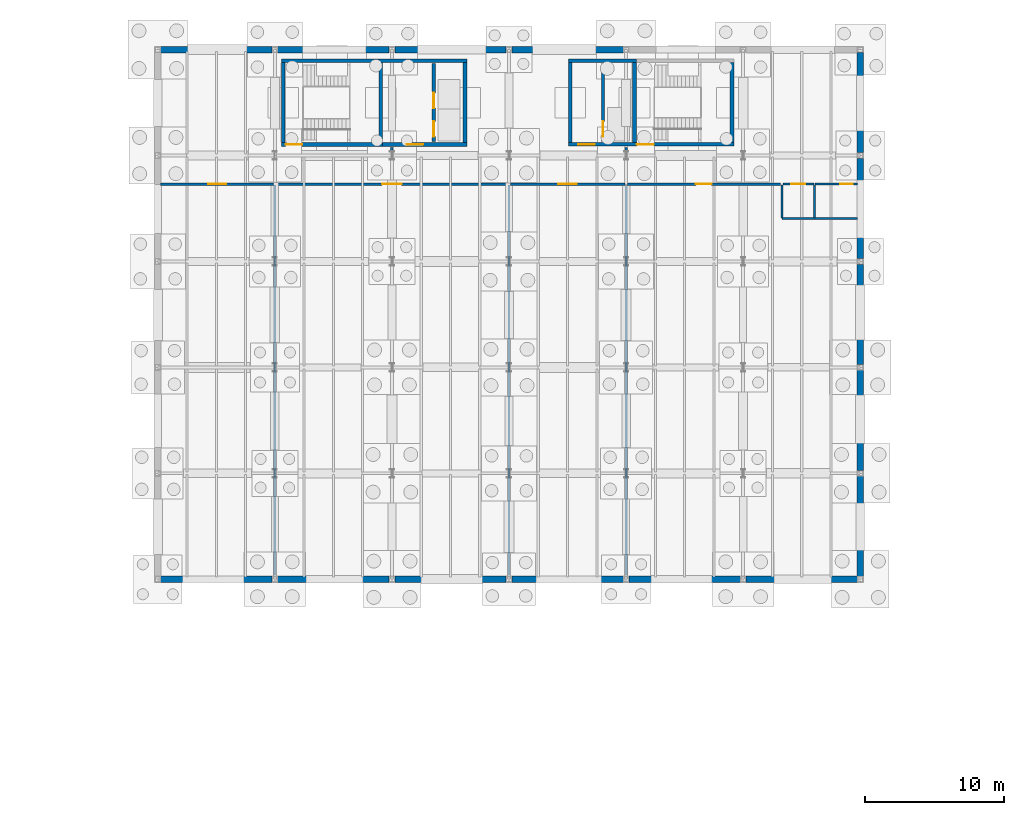
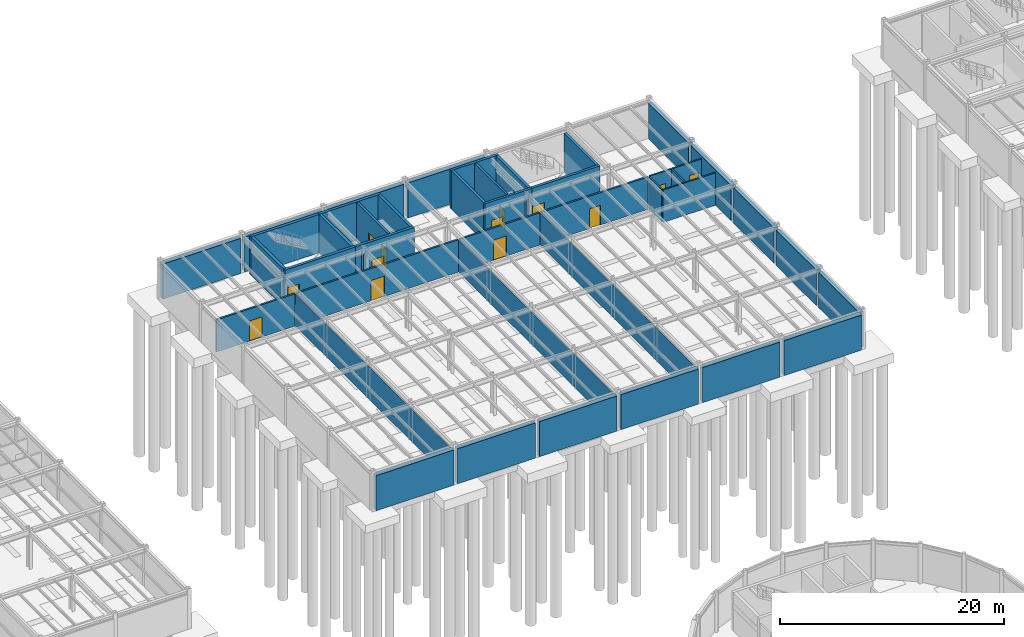
# One storey, part 26 of 33: 44 walls, 13 doors, 13 openings.
"""IFC4 building model written with IfcOpenShell, lengths in metres."""

from ifc_helpers import new_model, si_unit, direction, frame, frame_2d, origin, place, context, subcontext, project, spatial, rectangle, extrude, material, layer, layer_set, type_object, element, fill, save


model = new_model("IFC4")

# Units and contexts
model_context = context("Model", 3, precision=1e-05, world=origin(), true_north=direction((0.0, 1.0)))
body_context = subcontext(model_context, "Body", "Model", "MODEL_VIEW")
ifc_project = project(units=[si_unit("LENGTHUNIT", "METRE"), si_unit("AREAUNIT", "SQUARE_METRE"), si_unit("VOLUMEUNIT", "CUBIC_METRE"), si_unit("PLANEANGLEUNIT", "RADIAN"), si_unit("MASSUNIT", "GRAM", prefix="KILO")], contexts=[model_context])

# Site, building, storey
site_placement = place(None, origin())
site = spatial("IfcSite", under=ifc_project, at=site_placement, CompositionType="ELEMENT")
building_placement = place(site_placement, origin())
building = spatial("IfcBuilding", under=site, at=building_placement, Name="Montecoro Central Library", CompositionType="ELEMENT")
storey_placement = place(building_placement, frame((0.0, 0.0, -4.419921875)))
storey = spatial("IfcBuildingStorey", under=building, at=storey_placement, Name="B1", CompositionType="ELEMENT", Elevation=-4.419921875)

# Walls
ifc_material_1 = material(Name="Concrete C35/45", Category="concrete")
ifc_layer_1 = layer(ifc_material_1, 0.455078125)
ifc_layer_set_1 = layer_set([ifc_layer_1], Name="Concrete C35/45")
wall_type_1 = type_object("IfcWallType", Name="EW-RET-455", PredefinedType="USERDEFINED", material=ifc_layer_set_1)
for number, where, z_axis, x_axis, name in (
    (1, (66.60302734375, 81.0, 0.0), (0.0, 0.0, 1.0), (1.0, 0.0, 0.0), "V2-B1-RW-S-9"),
    (2, (66.60302734375, 119.0, 0.0), (0.0, 0.0, 1.0), (1.0, 0.0, 0.0), "V2-B1-RW-N-9"),
):
    element("IfcWall", number, at=place(storey_placement, frame(where, z_axis=z_axis, x_axis=x_axis)), inside=storey, type_object=wall_type_1, Name=name, ObjectType="RETAININGWALL", PredefinedType="USERDEFINED", context=body_context, shape_type="SweptSolid", body=[
        extrude(rectangle(XDim=7.993896484375, YDim=0.455078125, at=frame_2d((3.9970703125, 0.0))), origin(), (0.0, 0.0, 1.0), 3.81982421875),
    ])
for number, where, z_axis, x_axis, name in (
    (3, (75.0029296875, 81.0, 0.0), (0.0, 0.0, 1.0), (1.0, 0.0, 0.0), "V2-B1-RW-S-10"),
    (4, (75.0029296875, 119.0, 0.0), (0.0, 0.0, 1.0), (1.0, 0.0, 0.0), "V2-B1-RW-N-10"),
):
    element("IfcWall", number, at=place(storey_placement, frame(where, z_axis=z_axis, x_axis=x_axis)), inside=storey, type_object=wall_type_1, Name=name, ObjectType="RETAININGWALL", PredefinedType="USERDEFINED", context=body_context, shape_type="SweptSolid", body=[
        extrude(rectangle(XDim=7.994140625, YDim=0.455078125, at=frame_2d((3.9970703125, 0.0))), origin(), (0.0, 0.0, 1.0), 3.81982421875),
    ])
for number, where, z_axis, x_axis, name in (
    (5, (83.403076171875, 81.0, 0.0), (0.0, 0.0, 1.0), (1.0, 0.0, 0.0), "V2-B1-RW-S-11"),
    (6, (83.403076171875, 119.0, 0.0), (0.0, 0.0, 1.0), (1.0, 0.0, 0.0), "V2-B1-RW-N-11"),
):
    element("IfcWall", number, at=place(storey_placement, frame(where, z_axis=z_axis, x_axis=x_axis)), inside=storey, type_object=wall_type_1, Name=name, ObjectType="RETAININGWALL", PredefinedType="USERDEFINED", context=body_context, shape_type="SweptSolid", body=[
        extrude(rectangle(XDim=7.993896484375, YDim=0.455078125, at=frame_2d((3.9970703125, 0.0))), origin(), (0.0, 0.0, 1.0), 3.81982421875),
    ])
for number, where, z_axis, x_axis, name in (
    (7, (91.802978515625, 81.0, 0.0), (0.0, 0.0, 1.0), (1.0, 0.0, 0.0), "V2-B1-RW-S-12"),
    (8, (91.802978515625, 119.0, 0.0), (0.0, 0.0, 1.0), (1.0, 0.0, 0.0), "V2-B1-RW-N-12"),
    (9, (100.202880859375, 81.0, 0.0), (0.0, 0.0, 1.0), (1.0, 0.0, 0.0), "V2-B1-RW-S-13"),
):
    element("IfcWall", number, at=place(storey_placement, frame(where, z_axis=z_axis, x_axis=x_axis)), inside=storey, type_object=wall_type_1, Name=name, ObjectType="RETAININGWALL", PredefinedType="USERDEFINED", context=body_context, shape_type="SweptSolid", body=[
        extrude(rectangle(XDim=7.994140625, YDim=0.455078125, at=frame_2d((3.9970703125, 0.0))), origin(), (0.0, 0.0, 1.0), 3.81982421875),
    ])
wall_1_placement = place(storey_placement, frame((108.60302734375, 81.0, 0.0), z_axis=(0.0, 0.0, 1.0), x_axis=(1.0, 0.0, 0.0)))
element("IfcWall", 10, at=wall_1_placement, inside=storey, type_object=wall_type_1, Name="V2-B1-RW-S-14", ObjectType="RETAININGWALL", PredefinedType="USERDEFINED", context=body_context, shape_type="SweptSolid", body=[
    extrude(rectangle(XDim=7.993896484375, YDim=0.455078125, at=frame_2d((3.9970703125, 0.0))), origin(), (0.0, 0.0, 1.0), 3.81982421875),
])
for number, where, z_axis, x_axis, name in (
    (11, (116.800048828125, 81.202880859375, 0.0), (0.0, 0.0, 1.0), (0.0, 1.0, 0.0), "V2-B1-RW-E-L"),
    (12, (116.800048828125, 88.802978515625, 0.0), (0.0, 0.0, 1.0), (0.0, 1.0, 0.0), "V2-B1-RW-E-M"),
):
    element("IfcWall", number, at=place(storey_placement, frame(where, z_axis=z_axis, x_axis=x_axis)), inside=storey, type_object=wall_type_1, Name=name, ObjectType="RETAININGWALL", PredefinedType="USERDEFINED", context=body_context, shape_type="SweptSolid", body=[
        extrude(rectangle(XDim=7.194091796875, YDim=0.455078125, at=frame_2d((3.59716796875, 0.0))), origin(), (0.0, 0.0, 1.0), 3.81982421875),
    ])
wall_2_placement = place(storey_placement, frame((116.800048828125, 96.403076171875, 0.0), z_axis=(0.0, 0.0, 1.0), x_axis=(0.0, 1.0, 0.0)))
element("IfcWall", 13, at=wall_2_placement, inside=storey, type_object=wall_type_1, Name="V2-B1-RW-E-N", ObjectType="RETAININGWALL", PredefinedType="USERDEFINED", context=body_context, shape_type="SweptSolid", body=[
    extrude(rectangle(XDim=7.19384765625, YDim=0.455078125, at=frame_2d((3.596923828125, 0.0))), origin(), (0.0, 0.0, 1.0), 3.81982421875),
])
for number, where, z_axis, x_axis, name in (
    (14, (116.800048828125, 104.0029296875, 0.0), (0.0, 0.0, 1.0), (0.0, 1.0, 0.0), "V2-B1-RW-E-P"),
    (15, (116.800048828125, 111.60302734375, 0.0), (0.0, 0.0, 1.0), (0.0, 1.0, 0.0), "V2-B1-RW-E-Q"),
):
    element("IfcWall", number, at=place(storey_placement, frame(where, z_axis=z_axis, x_axis=x_axis)), inside=storey, type_object=wall_type_1, Name=name, ObjectType="RETAININGWALL", PredefinedType="USERDEFINED", context=body_context, shape_type="SweptSolid", body=[
        extrude(rectangle(XDim=7.194091796875, YDim=0.455078125, at=frame_2d((3.59716796875, 0.0))), origin(), (0.0, 0.0, 1.0), 3.81982421875),
    ])

# Wall, opening, door
ifc_material_2 = material(Name="Gypsum fire-rated partition")
ifc_layer_2 = layer(ifc_material_2, 0.179931640625)
ifc_layer_set_2 = layer_set([ifc_layer_2], Name="Gypsum fire-rated partition")
wall_type_2 = type_object("IfcWallType", Name="IW-COR-180", PredefinedType="PARTITIONING", material=ifc_layer_set_2)
wall_3_placement = place(storey_placement, frame((66.60009765625, 109.35009765625, 0.0), z_axis=(0.0, 0.0, 1.0), x_axis=(1.0, 0.0, 0.0)))
wall_3 = element("IfcWall", 16, at=wall_3_placement, inside=storey, type_object=wall_type_2, Name="CORW-V2-B1-01", PredefinedType="PARTITIONING", context=body_context, shape_type="SweptSolid", body=[
    extrude(rectangle(XDim=8.10986328125, YDim=0.179931640625, at=frame_2d((4.054931640625, 0.0))), origin(), (0.0, 0.0, 1.0), 3.52001953125),
])
opening_1_placement = place(wall_3_placement, frame((3.405029296875, 0.0, 0.0)))
opening_1 = element("IfcOpeningElement", 17, at=opening_1_placement, cuts=wall_3, Name="Opening ID-04", PredefinedType="OPENING", context=body_context, shape_type="SweptSolid", body=[
    extrude(rectangle(XDim=1.300048828125, YDim=2.199951171875, at=frame_2d((0.64990234375, 1.10009765625))), frame((0.0, 0.099853515625, 0.0), z_axis=(0.0, -1.0, 0.0), x_axis=(1.0, 0.0, 0.0)), (0.0, 0.0, 1.0), 0.199951171875),
])
ifc_material_3 = material(Name="Solid oak and fire-rated steel door", Category="steel")
door_type_1 = type_object("IfcDoorType", Name="ID-VLT-130", OperationType="NOTDEFINED", PredefinedType="DOOR", material=ifc_material_3)
door_1_placement = place(opening_1_placement, origin())
door_1 = element("IfcDoor", 18, at=door_1_placement, inside=storey, type_object=door_type_1, Name="DR-SP-V2-B1-R1P1", OperationType="SINGLE_SWING_LEFT", OverallHeight=2.199951171875, OverallWidth=1.300048828125, PredefinedType="DOOR", context=body_context, shape_type="SweptSolid", body=[
    extrude(rectangle(XDim=1.300048828125, YDim=2.199951171875, at=frame_2d((0.64990234375, 1.10009765625))), frame((0.0, 0.02490234375, 0.0), z_axis=(0.0, -1.0, 0.0), x_axis=(1.0, 0.0, 0.0)), (0.0, 0.0, 1.0), 0.050048828125),
])
fill(opening_1, door_1)

wall_4_placement = place(storey_placement, frame((74.889892578125, 109.35009765625, 0.0), z_axis=(0.0, 0.0, 1.0), x_axis=(1.0, 0.0, 0.0)))
wall_4 = element("IfcWall", 19, at=wall_4_placement, inside=storey, type_object=wall_type_2, Name="CORW-V2-B1-02", PredefinedType="PARTITIONING", context=body_context, shape_type="SweptSolid", body=[
    extrude(rectangle(XDim=16.6201171875, YDim=0.179931640625, at=frame_2d((8.31005859375, 0.0))), origin(), (0.0, 0.0, 1.0), 3.52001953125),
])
opening_2_placement = place(wall_4_placement, frame((7.610107421875, 0.0, 0.0)))
opening_2 = element("IfcOpeningElement", 20, at=opening_2_placement, cuts=wall_4, Name="Opening ID-08", PredefinedType="OPENING", context=body_context, shape_type="SweptSolid", body=[
    extrude(rectangle(XDim=1.39990234375, YDim=2.219970703125, at=frame_2d((0.699951171875, 1.10986328125))), frame((0.0, 0.099853515625, 0.0), z_axis=(0.0, -1.0, 0.0), x_axis=(1.0, 0.0, 0.0)), (0.0, 0.0, 1.0), 0.199951171875),
])
door_type_2 = type_object("IfcDoorType", Name="ID-RDG-140", OperationType="NOTDEFINED", PredefinedType="DOOR", material=ifc_material_3)
door_2_placement = place(opening_2_placement, origin())
door_2 = element("IfcDoor", 21, at=door_2_placement, inside=storey, type_object=door_type_2, Name="DR-SP-V2-B1-R2P1", OperationType="SINGLE_SWING_RIGHT", OverallHeight=2.219970703125, OverallWidth=1.39990234375, PredefinedType="DOOR", context=body_context, shape_type="SweptSolid", body=[
    extrude(rectangle(XDim=1.39990234375, YDim=2.219970703125, at=frame_2d((0.699951171875, 1.10986328125))), frame((0.0, 0.02490234375, 0.0), z_axis=(0.0, -1.0, 0.0), x_axis=(1.0, 0.0, 0.0)), (0.0, 0.0, 1.0), 0.050048828125),
])
fill(opening_2, door_2)

wall_5_placement = place(storey_placement, frame((91.68994140625, 109.35009765625, 0.0), z_axis=(0.0, 0.0, 1.0), x_axis=(1.0, 0.0, 0.0)))
wall_5 = element("IfcWall", 22, at=wall_5_placement, inside=storey, type_object=wall_type_2, Name="CORW-V2-B1-03", PredefinedType="PARTITIONING", context=body_context, shape_type="SweptSolid", body=[
    extrude(rectangle(XDim=8.219970703125, YDim=0.179931640625, at=frame_2d((4.10986328125, 0.0))), origin(), (0.0, 0.0, 1.0), 3.52001953125),
])
opening_3_placement = place(wall_5_placement, frame((3.4599609375, 0.0, 0.0)))
opening_3 = element("IfcOpeningElement", 23, at=opening_3_placement, cuts=wall_5, Name="Opening ID-04", PredefinedType="OPENING", context=body_context, shape_type="SweptSolid", body=[
    extrude(rectangle(XDim=1.300048828125, YDim=2.199951171875, at=frame_2d((0.64990234375, 1.10009765625))), frame((0.0, 0.099853515625, 0.0), z_axis=(0.0, -1.0, 0.0), x_axis=(1.0, 0.0, 0.0)), (0.0, 0.0, 1.0), 0.199951171875),
])
door_3_placement = place(opening_3_placement, origin())
door_3 = element("IfcDoor", 24, at=door_3_placement, inside=storey, type_object=door_type_1, Name="DR-SP-V2-B1-R3P1", OperationType="SINGLE_SWING_LEFT", OverallHeight=2.199951171875, OverallWidth=1.300048828125, PredefinedType="DOOR", context=body_context, shape_type="SweptSolid", body=[
    extrude(rectangle(XDim=1.300048828125, YDim=2.199951171875, at=frame_2d((0.64990234375, 1.10009765625))), frame((0.0, 0.02490234375, 0.0), z_axis=(0.0, -1.0, 0.0), x_axis=(1.0, 0.0, 0.0)), (0.0, 0.0, 1.0), 0.050048828125),
])
fill(opening_3, door_3)

wall_6_placement = place(storey_placement, frame((100.090087890625, 109.35009765625, 0.0), z_axis=(0.0, 0.0, 1.0), x_axis=(1.0, 0.0, 0.0)))
wall_6 = element("IfcWall", 25, at=wall_6_placement, inside=storey, type_object=wall_type_2, Name="CORW-V2-B1-04", PredefinedType="PARTITIONING", context=body_context, shape_type="SweptSolid", body=[
    extrude(rectangle(XDim=10.969970703125, YDim=0.179931640625, at=frame_2d((5.48486328125, 0.0))), origin(), (0.0, 0.0, 1.0), 3.52001953125),
])
opening_4_placement = place(wall_6_placement, frame((4.925048828125, 0.0, 0.0)))
opening_4 = element("IfcOpeningElement", 26, at=opening_4_placement, cuts=wall_6, Name="Opening ID-12", PredefinedType="OPENING", context=body_context, shape_type="SweptSolid", body=[
    extrude(rectangle(XDim=1.1201171875, YDim=2.14990234375, at=frame_2d((0.56005859375, 1.074951171875))), frame((0.0, 0.099853515625, 0.0), z_axis=(0.0, -1.0, 0.0), x_axis=(1.0, 0.0, 0.0)), (0.0, 0.0, 1.0), 0.199951171875),
])
door_type_3 = type_object("IfcDoorType", Name="ID-RM-112", OperationType="NOTDEFINED", PredefinedType="DOOR", material=ifc_material_3)
door_4_placement = place(opening_4_placement, origin())
door_4 = element("IfcDoor", 27, at=door_4_placement, inside=storey, type_object=door_type_3, Name="DR-SP-V2-B1-R4P1", OperationType="SINGLE_SWING_RIGHT", OverallHeight=2.14990234375, OverallWidth=1.1201171875, PredefinedType="DOOR", context=body_context, shape_type="SweptSolid", body=[
    extrude(rectangle(XDim=1.1201171875, YDim=2.14990234375, at=frame_2d((0.56005859375, 1.074951171875))), frame((0.0, 0.02490234375, 0.0), z_axis=(0.0, -1.0, 0.0), x_axis=(1.0, 0.0, 0.0)), (0.0, 0.0, 1.0), 0.050048828125),
])
fill(opening_4, door_4)

# Walls
for number, where, z_axis, x_axis, name in (
    (28, (83.199951171875, 111.639892578125, 0.0), (0.0, 0.0, 1.0), (0.0, 1.0, 0.0), "PIL-V2-B1-1"),
    (29, (100.0, 111.639892578125, 0.0), (0.0, 0.0, 1.0), (0.0, 1.0, 0.0), "PIL-V2-B1-2"),
):
    element("IfcWall", number, at=place(storey_placement, frame(where, z_axis=z_axis, x_axis=x_axis)), inside=storey, type_object=wall_type_2, Name=name, PredefinedType="PARTITIONING", context=body_context, shape_type="SweptSolid", body=[
        extrude(rectangle(XDim=0.320068359375, YDim=0.179931640625, at=frame_2d((0.16015625, 0.0))), origin(), (0.0, 0.0, 1.0), 3.52001953125),
    ])

# Wall, openings, doors
ifc_material_4 = material(Name="Concrete C32/40", Category="concrete")
ifc_layer_3 = layer(ifc_material_4, 0.219970703125)
ifc_layer_set_3 = layer_set([ifc_layer_3], Name="Concrete C32/40")
wall_type_3 = type_object("IfcWallType", Name="IW-FFL-220", PredefinedType="SOLIDWALL", material=ifc_layer_set_3)
wall_7_placement = place(storey_placement, frame((86.199951171875, 112.39990234375, 0.0), z_axis=(0.0, 0.0, 1.0), x_axis=(0.0, 1.0, 0.0)))
wall_7 = element("IfcWall", 30, at=wall_7_placement, inside=storey, type_object=wall_type_3, Name="C2-B1-WLSH", PredefinedType="SOLIDWALL", context=body_context, shape_type="SweptSolid", body=[
    extrude(rectangle(XDim=5.60009765625, YDim=0.219970703125, at=frame_2d((2.800048828125, 0.0))), origin(), (0.0, 0.0, 1.0), 4.184814453125),
])
opening_5_placement = place(wall_7_placement, frame((0.35009765625, 0.0, 0.0)))
opening_5 = element("IfcOpeningElement", 31, at=opening_5_placement, cuts=wall_7, Name="Opening LD-01", PredefinedType="OPENING", context=body_context, shape_type="SweptSolid", body=[
    extrude(rectangle(XDim=1.10009765625, YDim=2.14990234375, at=frame_2d((0.550048828125, 1.074951171875))), frame((0.0, 0.119873046875, 0.0), z_axis=(0.0, -1.0, 0.0), x_axis=(1.0, 0.0, 0.0)), (0.0, 0.0, 1.0), 0.239990234375),
])
opening_6_placement = place(wall_7_placement, frame((2.39990234375, 0.0, 0.0)))
opening_6 = element("IfcOpeningElement", 32, at=opening_6_placement, cuts=wall_7, Name="Opening LD-01", PredefinedType="OPENING", context=body_context, shape_type="SweptSolid", body=[
    extrude(rectangle(XDim=1.10009765625, YDim=2.14990234375, at=frame_2d((0.550048828125, 1.074951171875))), frame((0.0, 0.119873046875, 0.0), z_axis=(0.0, -1.0, 0.0), x_axis=(1.0, 0.0, 0.0)), (0.0, 0.0, 1.0), 0.239990234375),
])
door_type_4 = type_object("IfcDoorType", Name="LD-LIFT-110", OperationType="NOTDEFINED", PredefinedType="DOOR", material=ifc_material_3)
door_5_placement = place(opening_5_placement, origin())
door_5 = element("IfcDoor", 33, at=door_5_placement, inside=storey, type_object=door_type_4, Name="C2-B1-LD-PL-02", OperationType="SLIDING_TO_LEFT", OverallHeight=2.14990234375, OverallWidth=1.10009765625, PredefinedType="DOOR", context=body_context, shape_type="SweptSolid", body=[
    extrude(rectangle(XDim=1.10009765625, YDim=2.14990234375, at=frame_2d((0.550048828125, 1.074951171875))), frame((0.0, 0.02490234375, 0.0), z_axis=(0.0, -1.0, 0.0), x_axis=(1.0, 0.0, 0.0)), (0.0, 0.0, 1.0), 0.050048828125),
])
fill(opening_5, door_5)
door_6_placement = place(opening_6_placement, origin())
door_6 = element("IfcDoor", 34, at=door_6_placement, inside=storey, type_object=door_type_4, Name="C2-B1-LD-FFL-01", OperationType="SLIDING_TO_LEFT", OverallHeight=2.14990234375, OverallWidth=1.10009765625, PredefinedType="DOOR", context=body_context, shape_type="SweptSolid", body=[
    extrude(rectangle(XDim=1.10009765625, YDim=2.14990234375, at=frame_2d((0.550048828125, 1.074951171875))), frame((0.0, 0.02490234375, 0.0), z_axis=(0.0, -1.0, 0.0), x_axis=(1.0, 0.0, 0.0)), (0.0, 0.0, 1.0), 0.050048828125),
])
fill(opening_6, door_6)

# Wall, opening, door
wall_8_placement = place(storey_placement, frame((98.35009765625, 112.39990234375, 0.0), z_axis=(0.0, 0.0, 1.0), x_axis=(0.0, 1.0, 0.0)))
wall_8 = element("IfcWall", 35, at=wall_8_placement, inside=storey, type_object=wall_type_3, Name="C3-B1-WLSH", PredefinedType="SOLIDWALL", context=body_context, shape_type="SweptSolid", body=[
    extrude(rectangle(XDim=5.60009765625, YDim=0.219970703125, at=frame_2d((2.800048828125, 0.0))), origin(), (0.0, 0.0, 1.0), 4.184814453125),
])
opening_7_placement = place(wall_8_placement, frame((0.35009765625, 0.0, 0.0)))
opening_7 = element("IfcOpeningElement", 36, at=opening_7_placement, cuts=wall_8, Name="Opening LD-01", PredefinedType="OPENING", context=body_context, shape_type="SweptSolid", body=[
    extrude(rectangle(XDim=1.10009765625, YDim=2.14990234375, at=frame_2d((0.550048828125, 1.074951171875))), frame((0.0, 0.119873046875, 0.0), z_axis=(0.0, -1.0, 0.0), x_axis=(1.0, 0.0, 0.0)), (0.0, 0.0, 1.0), 0.239990234375),
])
door_7_placement = place(opening_7_placement, origin())
door_7 = element("IfcDoor", 37, at=door_7_placement, inside=storey, type_object=door_type_4, Name="C3-B1-LD-PL-03", OperationType="SLIDING_TO_LEFT", OverallHeight=2.14990234375, OverallWidth=1.10009765625, PredefinedType="DOOR", context=body_context, shape_type="SweptSolid", body=[
    extrude(rectangle(XDim=1.10009765625, YDim=2.14990234375, at=frame_2d((0.550048828125, 1.074951171875))), frame((0.0, 0.02490234375, 0.0), z_axis=(0.0, -1.0, 0.0), x_axis=(1.0, 0.0, 0.0)), (0.0, 0.0, 1.0), 0.050048828125),
])
fill(opening_7, door_7)

# Walls
ifc_material_5 = material(Name="Gypsum metal-stud partition")
ifc_layer_4 = layer(ifc_material_5, 0.1201171875)
ifc_layer_set_4 = layer_set([ifc_layer_4], Name="Gypsum metal-stud partition")
wall_type_4 = type_object("IfcWallType", Name="IW-PRT-120", PredefinedType="PARTITIONING", material=ifc_layer_set_4)
wall_9_placement = place(storey_placement, frame((91.60009765625, 81.320068359375, 0.0), z_axis=(0.0, 0.0, 1.0), x_axis=(0.0, 1.0, 0.0)))
element("IfcWall", 38, at=wall_9_placement, inside=storey, type_object=wall_type_4, Name="DIVW-V2-B1-02-1", PredefinedType="PARTITIONING", context=body_context, shape_type="SweptSolid", body=[
    extrude(rectangle(XDim=27.93994140625, YDim=0.1201171875, at=frame_2d((13.969970703125, 0.0))), origin(), (0.0, 0.0, 1.0), 3.52001953125),
])
ifc_layer_5 = layer(ifc_material_5, 0.139892578125)
ifc_layer_set_5 = layer_set([ifc_layer_5], Name="Gypsum metal-stud partition")
wall_type_5 = type_object("IfcWallType", Name="IW-PRT-140", PredefinedType="PARTITIONING", material=ifc_layer_set_5)
for number, where, z_axis, x_axis, name in (
    (39, (74.800048828125, 81.320068359375, 0.0), (0.0, 0.0, 1.0), (0.0, 1.0, 0.0), "DIVW-V2-B1-01-1"),
    (40, (100.0, 81.320068359375, 0.0), (0.0, 0.0, 1.0), (0.0, 1.0, 0.0), "DIVW-V2-B1-03-1"),
):
    element("IfcWall", number, at=place(storey_placement, frame(where, z_axis=z_axis, x_axis=x_axis)), inside=storey, type_object=wall_type_5, Name=name, PredefinedType="PARTITIONING", context=body_context, shape_type="SweptSolid", body=[
        extrude(rectangle(XDim=27.93994140625, YDim=0.139892578125, at=frame_2d((13.969970703125, 0.0))), origin(), (0.0, 0.0, 1.0), 3.52001953125),
    ])

# Wall, opening, door
ifc_layer_6 = layer(ifc_material_1, 0.260009765625)
ifc_layer_set_6 = layer_set([ifc_layer_6], Name="Concrete C35/45")
wall_type_6 = type_object("IfcWallType", Name="IW-SHR-260", PredefinedType="SHEAR", material=ifc_layer_set_6)
wall_10_placement = place(storey_placement, frame((95.8701171875, 112.199951171875, 0.0), z_axis=(0.0, 0.0, 1.0), x_axis=(1.0, 0.0, 0.0)))
wall_10 = element("IfcWall", 41, at=wall_10_placement, inside=storey, type_object=wall_type_6, Name="C3-B1-LWS", PredefinedType="SHEAR", context=body_context, shape_type="SweptSolid", body=[
    extrude(rectangle(XDim=4.85986328125, YDim=0.260009765625, at=frame_2d((2.429931640625, 0.0))), origin(), (0.0, 0.0, 1.0), 4.184814453125),
])
opening_8_placement = place(wall_10_placement, frame((0.679931640625, 0.0, 0.0)))
opening_8 = element("IfcOpeningElement", 42, at=opening_8_placement, cuts=wall_10, Name="Opening ID-03", PredefinedType="OPENING", context=body_context, shape_type="SweptSolid", body=[
    extrude(rectangle(XDim=1.199951171875, YDim=2.159912109375, at=frame_2d((0.60009765625, 1.080078125))), frame((0.0, 0.139892578125, 0.0), z_axis=(0.0, -1.0, 0.0), x_axis=(1.0, 0.0, 0.0)), (0.0, 0.0, 1.0), 0.280029296875),
])
door_type_5 = type_object("IfcDoorType", Name="ID-FFL-120", OperationType="NOTDEFINED", PredefinedType="DOOR", material=ifc_material_3)
door_8_placement = place(opening_8_placement, origin())
door_8 = element("IfcDoor", 43, at=door_8_placement, inside=storey, type_object=door_type_5, Name="C3-B1-DLOB", OperationType="SINGLE_SWING_LEFT", OverallHeight=2.159912109375, OverallWidth=1.199951171875, PredefinedType="DOOR", context=body_context, shape_type="SweptSolid", body=[
    extrude(rectangle(XDim=1.199951171875, YDim=2.159912109375, at=frame_2d((0.60009765625, 1.080078125))), frame((0.0, 0.02490234375, 0.0), z_axis=(0.0, -1.0, 0.0), x_axis=(1.0, 0.0, 0.0)), (0.0, 0.0, 1.0), 0.050048828125),
])
fill(opening_8, door_8)

# Walls
wall_11_placement = place(storey_placement, frame((100.72998046875, 118.199951171875, 0.0), z_axis=(0.0, 0.0, 1.0), x_axis=(-1.0, 0.0, 0.0)))
element("IfcWall", 44, at=wall_11_placement, inside=storey, type_object=wall_type_6, Name="C3-B1-LWN", PredefinedType="SHEAR", context=body_context, shape_type="SweptSolid", body=[
    extrude(rectangle(XDim=4.85986328125, YDim=0.260009765625, at=frame_2d((2.429931640625, 0.0))), origin(), (0.0, 0.0, 1.0), 4.184814453125),
])
wall_12_placement = place(storey_placement, frame((96.0, 118.070068359375, 0.0), z_axis=(0.0, 0.0, 1.0), x_axis=(0.0, -1.0, 0.0)))
element("IfcWall", 45, at=wall_12_placement, inside=storey, type_object=wall_type_6, Name="C3-B1-LWW", PredefinedType="SHEAR", context=body_context, shape_type="SweptSolid", body=[
    extrude(rectangle(XDim=5.739990234375, YDim=0.260009765625, at=frame_2d((2.8701171875, 0.0))), origin(), (0.0, 0.0, 1.0), 4.184814453125),
])

# Wall, opening, door
wall_13_placement = place(storey_placement, frame((100.469970703125, 112.199951171875, 0.0), z_axis=(0.0, 0.0, 1.0), x_axis=(1.0, 0.0, 0.0)))
wall_13 = element("IfcWall", 46, at=wall_13_placement, inside=storey, type_object=wall_type_6, Name="C3-B1-WS", PredefinedType="SHEAR", context=body_context, shape_type="SweptSolid", body=[
    extrude(rectangle(XDim=7.260009765625, YDim=0.260009765625, at=frame_2d((3.6298828125, 0.0))), origin(), (0.0, 0.0, 1.0), 4.184814453125),
])
opening_9_placement = place(wall_13_placement, frame((0.31005859375, 0.0, 0.0)))
opening_9 = element("IfcOpeningElement", 47, at=opening_9_placement, cuts=wall_13, Name="Opening ID-01", PredefinedType="OPENING", context=body_context, shape_type="SweptSolid", body=[
    extrude(rectangle(XDim=1.219970703125, YDim=2.179931640625, at=frame_2d((0.60986328125, 1.08984375))), frame((0.0, 0.139892578125, 0.0), z_axis=(0.0, -1.0, 0.0), x_axis=(1.0, 0.0, 0.0)), (0.0, 0.0, 1.0), 0.280029296875),
])
door_type_6 = type_object("IfcDoorType", Name="ID-STR-140", OperationType="NOTDEFINED", PredefinedType="DOOR", material=ifc_material_3)
door_9_placement = place(opening_9_placement, origin())
door_9 = element("IfcDoor", 48, at=door_9_placement, inside=storey, type_object=door_type_6, Name="C3-B1-DSTR", OperationType="SINGLE_SWING_RIGHT", OverallHeight=2.179931640625, OverallWidth=1.219970703125, PredefinedType="DOOR", context=body_context, shape_type="SweptSolid", body=[
    extrude(rectangle(XDim=1.219970703125, YDim=2.179931640625, at=frame_2d((0.60986328125, 1.08984375))), frame((0.0, 0.02490234375, 0.0), z_axis=(0.0, -1.0, 0.0), x_axis=(1.0, 0.0, 0.0)), (0.0, 0.0, 1.0), 0.050048828125),
])
fill(opening_9, door_9)

# Walls
for number, where, z_axis, x_axis, name in (
    (49, (100.60009765625, 112.330078125, 0.0), (0.0, 0.0, 1.0), (0.0, 1.0, 0.0), "C3-B1-WW"),
    (50, (107.60009765625, 112.330078125, 0.0), (0.0, 0.0, 1.0), (0.0, 1.0, 0.0), "C3-B1-WE"),
):
    element("IfcWall", number, at=place(storey_placement, frame(where, z_axis=z_axis, x_axis=x_axis)), inside=storey, type_object=wall_type_6, Name=name, PredefinedType="SHEAR", context=body_context, shape_type="SweptSolid", body=[
        extrude(rectangle(XDim=5.739990234375, YDim=0.260009765625, at=frame_2d((2.8701171875, 0.0))), origin(), (0.0, 0.0, 1.0), 4.184814453125),
    ])

# Wall, opening, door
ifc_layer_7 = layer(ifc_material_1, 0.280029296875)
ifc_layer_set_7 = layer_set([ifc_layer_7], Name="Concrete C35/45")
wall_type_7 = type_object("IfcWallType", Name="IW-SHR-280", PredefinedType="SHEAR", material=ifc_layer_set_7)
wall_14_placement = place(storey_placement, frame((82.260009765625, 112.199951171875, 0.0), z_axis=(0.0, 0.0, 1.0), x_axis=(1.0, 0.0, 0.0)))
wall_14 = element("IfcWall", 51, at=wall_14_placement, inside=storey, type_object=wall_type_7, Name="C2-B1-LWS", PredefinedType="SHEAR", context=body_context, shape_type="SweptSolid", body=[
    extrude(rectangle(XDim=6.330078125, YDim=0.280029296875, at=frame_2d((3.1650390625, 0.0))), origin(), (0.0, 0.0, 1.0), 4.184814453125),
])
opening_10_placement = place(wall_14_placement, frame((1.989990234375, 0.0, 0.0)))
opening_10 = element("IfcOpeningElement", 52, at=opening_10_placement, cuts=wall_14, Name="Opening ID-03", PredefinedType="OPENING", context=body_context, shape_type="SweptSolid", body=[
    extrude(rectangle(XDim=1.199951171875, YDim=2.159912109375, at=frame_2d((0.60009765625, 1.080078125))), frame((0.0, 0.14990234375, 0.0), z_axis=(0.0, -1.0, 0.0), x_axis=(1.0, 0.0, 0.0)), (0.0, 0.0, 1.0), 0.300048828125),
])
door_10_placement = place(opening_10_placement, origin())
door_10 = element("IfcDoor", 53, at=door_10_placement, inside=storey, type_object=door_type_5, Name="C2-B1-DLOB", OperationType="SINGLE_SWING_LEFT", OverallHeight=2.159912109375, OverallWidth=1.199951171875, PredefinedType="DOOR", context=body_context, shape_type="SweptSolid", body=[
    extrude(rectangle(XDim=1.199951171875, YDim=2.159912109375, at=frame_2d((0.60009765625, 1.080078125))), frame((0.0, 0.02490234375, 0.0), z_axis=(0.0, -1.0, 0.0), x_axis=(1.0, 0.0, 0.0)), (0.0, 0.0, 1.0), 0.050048828125),
])
fill(opening_10, door_10)

# Walls
wall_15_placement = place(storey_placement, frame((88.590087890625, 118.199951171875, 0.0), z_axis=(0.0, 0.0, 1.0), x_axis=(-1.0, 0.0, 0.0)))
element("IfcWall", 54, at=wall_15_placement, inside=storey, type_object=wall_type_7, Name="C2-B1-LWN", PredefinedType="SHEAR", context=body_context, shape_type="SweptSolid", body=[
    extrude(rectangle(XDim=6.330078125, YDim=0.280029296875, at=frame_2d((3.1650390625, 0.0))), origin(), (0.0, 0.0, 1.0), 4.184814453125),
])
wall_16_placement = place(storey_placement, frame((88.449951171875, 112.340087890625, 0.0), z_axis=(0.0, 0.0, 1.0), x_axis=(0.0, 1.0, 0.0)))
element("IfcWall", 55, at=wall_16_placement, inside=storey, type_object=wall_type_7, Name="C2-B1-LWE", PredefinedType="SHEAR", context=body_context, shape_type="SweptSolid", body=[
    extrude(rectangle(XDim=5.719970703125, YDim=0.280029296875, at=frame_2d((2.85986328125, 0.0))), origin(), (0.0, 0.0, 1.0), 4.184814453125),
])

# Wall, opening, door
wall_17_placement = place(storey_placement, frame((75.260009765625, 112.199951171875, 0.0), z_axis=(0.0, 0.0, 1.0), x_axis=(1.0, 0.0, 0.0)))
wall_17 = element("IfcWall", 56, at=wall_17_placement, inside=storey, type_object=wall_type_7, Name="C2-B1-WS", PredefinedType="SHEAR", context=body_context, shape_type="SweptSolid", body=[
    extrude(rectangle(XDim=7.280029296875, YDim=0.280029296875, at=frame_2d((3.64013671875, 0.0))), origin(), (0.0, 0.0, 1.0), 4.184814453125),
])
opening_11_placement = place(wall_17_placement, frame((0.320068359375, 0.0, 0.0)))
opening_11 = element("IfcOpeningElement", 57, at=opening_11_placement, cuts=wall_17, Name="Opening ID-02", PredefinedType="OPENING", context=body_context, shape_type="SweptSolid", body=[
    extrude(rectangle(XDim=1.179931640625, YDim=2.179931640625, at=frame_2d((0.58984375, 1.08984375))), frame((0.0, 0.14990234375, 0.0), z_axis=(0.0, -1.0, 0.0), x_axis=(1.0, 0.0, 0.0)), (0.0, 0.0, 1.0), 0.300048828125),
])
door_type_7 = type_object("IfcDoorType", Name="ID-STR-135", OperationType="NOTDEFINED", PredefinedType="DOOR", material=ifc_material_3)
door_11_placement = place(opening_11_placement, origin())
door_11 = element("IfcDoor", 58, at=door_11_placement, inside=storey, type_object=door_type_7, Name="C2-B1-DSTR", OperationType="SINGLE_SWING_RIGHT", OverallHeight=2.179931640625, OverallWidth=1.179931640625, PredefinedType="DOOR", context=body_context, shape_type="SweptSolid", body=[
    extrude(rectangle(XDim=1.179931640625, YDim=2.179931640625, at=frame_2d((0.58984375, 1.08984375))), frame((0.0, 0.02490234375, 0.0), z_axis=(0.0, -1.0, 0.0), x_axis=(1.0, 0.0, 0.0)), (0.0, 0.0, 1.0), 0.050048828125),
])
fill(opening_11, door_11)

# Walls
wall_18_placement = place(storey_placement, frame((75.260009765625, 118.199951171875, 0.0), z_axis=(0.0, 0.0, 1.0), x_axis=(1.0, 0.0, 0.0)))
element("IfcWall", 59, at=wall_18_placement, inside=storey, type_object=wall_type_7, Name="C2-B1-WN", PredefinedType="SHEAR", context=body_context, shape_type="SweptSolid", body=[
    extrude(rectangle(XDim=7.280029296875, YDim=0.280029296875, at=frame_2d((3.64013671875, 0.0))), origin(), (0.0, 0.0, 1.0), 4.184814453125),
])
for number, where, z_axis, x_axis, name in (
    (60, (75.39990234375, 112.340087890625, 0.0), (0.0, 0.0, 1.0), (0.0, 1.0, 0.0), "C2-B1-WW"),
    (61, (82.39990234375, 112.340087890625, 0.0), (0.0, 0.0, 1.0), (0.0, 1.0, 0.0), "C2-B1-WE"),
):
    element("IfcWall", number, at=place(storey_placement, frame(where, z_axis=z_axis, x_axis=x_axis)), inside=storey, type_object=wall_type_7, Name=name, PredefinedType="SHEAR", context=body_context, shape_type="SweptSolid", body=[
        extrude(rectangle(XDim=5.719970703125, YDim=0.280029296875, at=frame_2d((2.85986328125, 0.0))), origin(), (0.0, 0.0, 1.0), 4.184814453125),
    ])
ifc_material_6 = material(Name="Moisture-resistant ceramic-tiled partition")
ifc_layer_8 = layer(ifc_material_6, 0.14990234375)
ifc_layer_set_8 = layer_set([ifc_layer_8], Name="Moisture-resistant ceramic-tiled partition")
wall_type_8 = type_object("IfcWallType", Name="IW-WET-150", PredefinedType="PARTITIONING", material=ifc_layer_set_8)
wall_19_placement = place(storey_placement, frame((111.179931640625, 106.8701171875, 0.0), z_axis=(0.0, 0.0, 1.0), x_axis=(1.0, 0.0, 0.0)))
element("IfcWall", 62, at=wall_19_placement, inside=storey, type_object=wall_type_8, Name="WC-V2-B1-WBK", PredefinedType="PARTITIONING", context=body_context, shape_type="SweptSolid", body=[
    extrude(rectangle(XDim=5.420166015625, YDim=0.14990234375, at=frame_2d((2.7099609375, 0.0))), origin(), (0.0, 0.0, 1.0), 3.52001953125),
])
for number, where, z_axis, x_axis, name in (
    (63, (111.179931640625, 106.929931640625, 0.0), (0.0, 0.0, 1.0), (0.0, 1.0, 0.0), "WC-V2-B1-WW"),
    (64, (113.530029296875, 106.929931640625, 0.0), (0.0, 0.0, 1.0), (0.0, 1.0, 0.0), "WC-V2-B1-WM"),
):
    element("IfcWall", number, at=place(storey_placement, frame(where, z_axis=z_axis, x_axis=x_axis)), inside=storey, type_object=wall_type_8, Name=name, PredefinedType="PARTITIONING", context=body_context, shape_type="SweptSolid", body=[
        extrude(rectangle(XDim=2.360107421875, YDim=0.14990234375, at=frame_2d((1.18017578125, 0.0))), origin(), (0.0, 0.0, 1.0), 3.52001953125),
    ])

# Wall, opening, door
wall_20_placement = place(storey_placement, frame((111.239990234375, 109.35009765625, 0.0), z_axis=(0.0, 0.0, 1.0), x_axis=(1.0, 0.0, 0.0)))
wall_20 = element("IfcWall", 65, at=wall_20_placement, inside=storey, type_object=wall_type_8, Name="WC-V2-B1-WFA", PredefinedType="PARTITIONING", context=body_context, shape_type="SweptSolid", body=[
    extrude(rectangle(XDim=2.25, YDim=0.14990234375, at=frame_2d((1.125, 0.0))), origin(), (0.0, 0.0, 1.0), 3.52001953125),
])
opening_12_placement = place(wall_20_placement, frame((0.625, 0.0, 0.0)))
opening_12 = element("IfcOpeningElement", 66, at=opening_12_placement, cuts=wall_20, Name="Opening ID-15", PredefinedType="OPENING", context=body_context, shape_type="SweptSolid", body=[
    extrude(rectangle(XDim=1.0, YDim=2.14990234375, at=frame_2d((0.5, 1.074951171875))), frame((0.0, 0.0849609375, 0.0), z_axis=(0.0, -1.0, 0.0), x_axis=(1.0, 0.0, 0.0)), (0.0, 0.0, 1.0), 0.169921875),
])
door_type_8 = type_object("IfcDoorType", Name="ID-AWC-100", OperationType="NOTDEFINED", PredefinedType="DOOR", material=ifc_material_3)
door_12_placement = place(opening_12_placement, origin())
door_12 = element("IfcDoor", 67, at=door_12_placement, inside=storey, type_object=door_type_8, Name="DR-SP-V2-B1-AWC", OperationType="SINGLE_SWING_LEFT", OverallHeight=2.14990234375, OverallWidth=1.0, PredefinedType="DOOR", context=body_context, shape_type="SweptSolid", body=[
    extrude(rectangle(XDim=1.0, YDim=2.14990234375, at=frame_2d((0.5, 1.074951171875))), frame((0.0, 0.02490234375, 0.0), z_axis=(0.0, -1.0, 0.0), x_axis=(1.0, 0.0, 0.0)), (0.0, 0.0, 1.0), 0.050048828125),
])
fill(opening_12, door_12)

wall_21_placement = place(storey_placement, frame((113.570068359375, 109.35009765625, 0.0), z_axis=(0.0, 0.0, 1.0), x_axis=(1.0, 0.0, 0.0)))
wall_21 = element("IfcWall", 68, at=wall_21_placement, inside=storey, type_object=wall_type_8, Name="WC-V2-B1-WFP", PredefinedType="PARTITIONING", context=body_context, shape_type="SweptSolid", body=[
    extrude(rectangle(XDim=3.030029296875, YDim=0.14990234375, at=frame_2d((1.51513671875, 0.0))), origin(), (0.0, 0.0, 1.0), 3.52001953125),
])
opening_13_placement = place(wall_21_placement, frame((1.780029296875, 0.0, 0.0)))
opening_13 = element("IfcOpeningElement", 69, at=opening_13_placement, cuts=wall_21, Name="Opening ID-16", PredefinedType="OPENING", context=body_context, shape_type="SweptSolid", body=[
    extrude(rectangle(XDim=0.89990234375, YDim=2.14990234375, at=frame_2d((0.449951171875, 1.074951171875))), frame((0.0, 0.0849609375, 0.0), z_axis=(0.0, -1.0, 0.0), x_axis=(1.0, 0.0, 0.0)), (0.0, 0.0, 1.0), 0.169921875),
])
door_type_9 = type_object("IfcDoorType", Name="ID-WC-090", OperationType="NOTDEFINED", PredefinedType="DOOR", material=ifc_material_3)
door_13_placement = place(opening_13_placement, origin())
door_13 = element("IfcDoor", 70, at=door_13_placement, inside=storey, type_object=door_type_9, Name="DR-SP-V2-B1-PWC", OperationType="SINGLE_SWING_RIGHT", OverallHeight=2.14990234375, OverallWidth=0.89990234375, PredefinedType="DOOR", context=body_context, shape_type="SweptSolid", body=[
    extrude(rectangle(XDim=0.89990234375, YDim=2.14990234375, at=frame_2d((0.449951171875, 1.074951171875))), frame((0.0, 0.02490234375, 0.0), z_axis=(0.0, -1.0, 0.0), x_axis=(1.0, 0.0, 0.0)), (0.0, 0.0, 1.0), 0.050048828125),
])
fill(opening_13, door_13)

save(model, "model.ifc")
